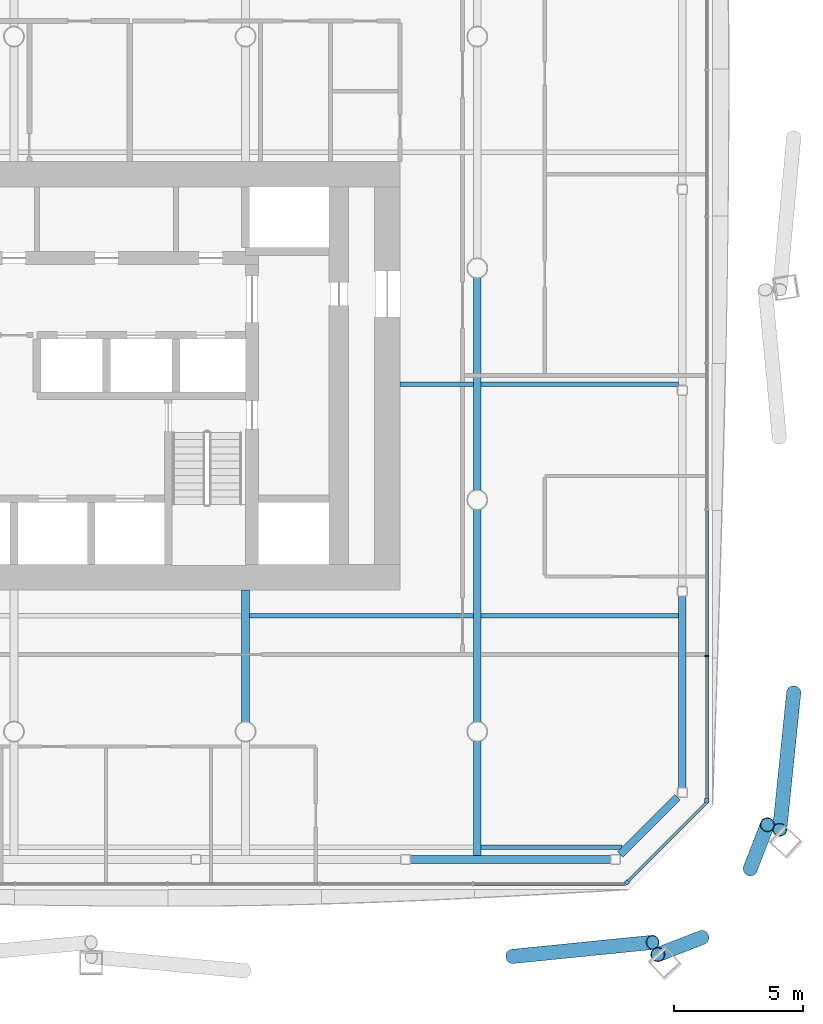
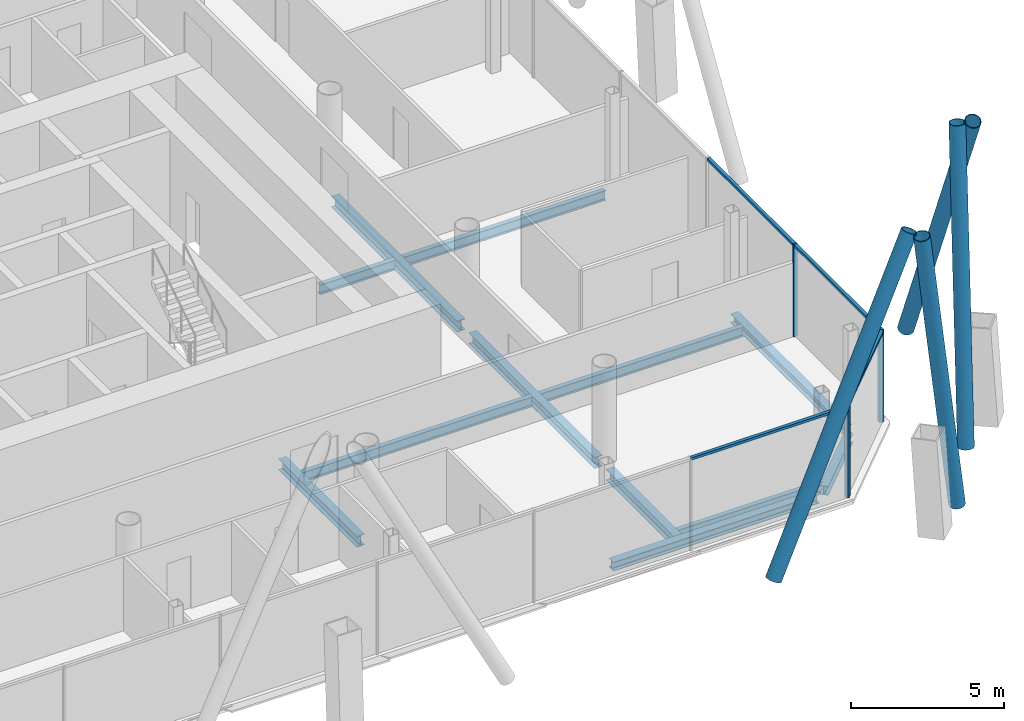
# One storey, part 7 of 22: 12 beams, 11 members, 3 elements without a shape of their own.
"""IFC4 building model written with IfcOpenShell, lengths in metres."""

import ifcopenshell
import ifcopenshell.guid

model = None  # the IFC model being written
_history = None  # IfcOwnerHistory: only IFC2X3 demands one
_inside = {}  # id of a spatial element -> (the spatial element, [elements in it])
_under = {}  # id of a project, library or spatial element -> (it, [spatial elements below it])
_declared = {}  # id of a project -> (the project, [libraries it declares])
_typed = {}  # id of a type object -> (the type object, [elements of that type])
_made_of = {}  # id of a material, layer set ... -> (it, [elements and type objects made of it])


def new_model(schema):
    """Start an empty IFC model of exactly this schema.

    Asked for "IFC4X3", IfcOpenShell would pick the latest addendum, in which some entities
    have other attributes; the version numbers below select the first issue.
    IFC2X3 requires an IfcOwnerHistory on every rooted entity: one is made here for all.
    """
    global model, _history
    if schema == "IFC4X3":
        model = ifcopenshell.file(schema_version=(4, 3, 0, 0))
    else:
        model = ifcopenshell.file(schema=schema)
    _inside.clear()
    _under.clear()
    _declared.clear()
    _typed.clear()
    _made_of.clear()
    _history = None
    if model.schema == "IFC2X3":
        org = make("IfcOrganization", Name="unknown")
        user = make(
            "IfcPersonAndOrganization",
            ThePerson=make("IfcPerson", FamilyName="unknown"),
            TheOrganization=org,
        )
        app = make(
            "IfcApplication",
            ApplicationDeveloper=org,
            Version="unknown",
            ApplicationFullName="unknown",
            ApplicationIdentifier="unknown",
        )
        _history = make(
            "IfcOwnerHistory",
            OwningUser=user,
            OwningApplication=app,
            ChangeAction="ADDED",
            CreationDate=0,
        )
    return model


def make(cls, **values):
    """One entity of the class cls with the attributes given. An attribute that is None is left unset."""
    return model.create_entity(
        cls, **{name: value for name, value in values.items() if value is not None}
    )


def rooted(cls, **values):
    """An entity with a GlobalId (a new one), such as an element, a storey or a relation."""
    return make(cls, GlobalId=ifcopenshell.guid.new(), OwnerHistory=_history, **values)


def si_unit(unit_type, name, prefix=None):
    """IfcSIUnit, for example si_unit("LENGTHUNIT", "METRE", prefix="MILLI")."""
    return make("IfcSIUnit", UnitType=unit_type, Prefix=prefix, Name=name)


def assignment(units):
    """IfcUnitAssignment: the units of a project."""
    return None if units is None else make("IfcUnitAssignment", Units=units)


def point(xyz):
    """IfcCartesianPoint."""
    return None if xyz is None else make("IfcCartesianPoint", Coordinates=xyz)


def direction(xyz):
    """IfcDirection."""
    return None if xyz is None else make("IfcDirection", DirectionRatios=xyz)


def frame(location, z_axis=None, x_axis=None):
    """IfcAxis2Placement3D, a coordinate frame: its origin and axes. An axis left out is left unset."""
    return make(
        "IfcAxis2Placement3D",
        Location=point(location),
        Axis=direction(z_axis),
        RefDirection=direction(x_axis),
    )


def frame_2d(location, x_axis=None):
    """IfcAxis2Placement2D, a coordinate frame in the plane: its origin and x axis."""
    return make(
        "IfcAxis2Placement2D", Location=point(location), RefDirection=direction(x_axis)
    )


def origin():
    """The frame at (0, 0, 0) with its axes left unset."""
    return frame((0.0, 0.0, 0.0))


def origin_2d():
    """The frame at (0, 0) in the plane with its x axis left unset."""
    return frame_2d((0.0, 0.0))


def place(relative_to, where):
    """IfcLocalPlacement: puts the frame where relative to a parent placement (None: the world)."""
    return make(
        "IfcLocalPlacement", PlacementRelTo=relative_to, RelativePlacement=where
    )


def context(
    kind, dimensions, precision=None, world=None, true_north=None, identifier=None
):
    """IfcGeometricRepresentationContext, for example the 3D "Model" context."""
    return make(
        "IfcGeometricRepresentationContext",
        ContextIdentifier=identifier,
        ContextType=kind,
        CoordinateSpaceDimension=dimensions,
        Precision=precision,
        WorldCoordinateSystem=world,
        TrueNorth=true_north,
    )


def subcontext(parent, identifier, kind, view, scale=None):
    """IfcGeometricRepresentationSubContext, for example "Body" below "Model"."""
    return make(
        "IfcGeometricRepresentationSubContext",
        ContextIdentifier=identifier,
        ContextType=kind,
        ParentContext=parent,
        TargetScale=scale,
        TargetView=view,
    )


def project(units=None, contexts=None):
    """IfcProject with its units and contexts."""
    return rooted(
        "IfcProject",
        Name="project",
        RepresentationContexts=contexts,
        UnitsInContext=assignment(units),
    )


def spatial(cls, under=None, at=None, **own):
    """A site, building, storey or space (cls), placed at a placement, below another one or the project."""
    s = rooted(cls, ObjectPlacement=at, **own)
    if under is not None:
        _under.setdefault(under.id(), (under, []))[1].append(s)
    return s


def profile(cls, at=None, kind="AREA", **sizes):
    """A parametric profile (cls). Its sizes go by their IFC names, for example OverallWidth=200.0."""
    return make(cls, ProfileType=kind, Position=at, **sizes)


def rectangle(**sizes):
    """IfcRectangleProfileDef."""
    return profile("IfcRectangleProfileDef", **sizes)


def hollow_circle(**sizes):
    """IfcCircleHollowProfileDef."""
    return profile("IfcCircleHollowProfileDef", **sizes)


def i_section(**sizes):
    """IfcIShapeProfileDef."""
    return profile("IfcIShapeProfileDef", **sizes)


def extrude(swept, where, along, depth):
    """IfcExtrudedAreaSolid: the profile swept, set in the frame where, extruded along a direction by depth."""
    return make(
        "IfcExtrudedAreaSolid",
        SweptArea=swept,
        Position=where,
        ExtrudedDirection=direction(along),
        Depth=depth,
    )


def shape(context_of_items, identifier, shape_type, items):
    """IfcShapeRepresentation: the items that make up one representation, for example the "Body"."""
    return make(
        "IfcShapeRepresentation",
        ContextOfItems=context_of_items,
        RepresentationIdentifier=identifier,
        RepresentationType=shape_type,
        Items=items,
    )


def material(Name=None, Category=None):
    """IfcMaterial."""
    return make("IfcMaterial", Name=Name, Category=Category)


def material_profile(
    of_material, cross_section, Name=None, Category=None, Priority=None
):
    """IfcMaterialProfile: a cross section and its material."""
    return make(
        "IfcMaterialProfile",
        Name=Name,
        Material=of_material,
        Profile=cross_section,
        Priority=Priority,
        Category=Category,
    )


def profile_set(profiles, Name=None, composite=None):
    """IfcMaterialProfileSet."""
    return make(
        "IfcMaterialProfileSet",
        Name=Name,
        MaterialProfiles=profiles,
        CompositeProfile=composite,
    )


def made_of(thing, what):
    """Note that an element or type object is made of a material, layer set ...; save() writes the relation."""
    if what is not None:
        _made_of.setdefault(what.id(), (what, []))[1].append(thing)
    return thing


def type_object(cls, material=None, **own):
    """A type object (cls), such as IfcWallType, which elements share."""
    return made_of(rooted(cls, **own), material)


def element(
    cls,
    number,
    at=None,
    inside=None,
    cuts=None,
    type_object=None,
    material=None,
    context=None,
    identifier="Body",
    shape_type=None,
    held_by="IfcProductDefinitionShape",
    body=None,
    shapes=None,
    **own,
):
    """One element of the class cls, such as IfcWall. Its Tag is "e" and its number.

    at: its placement. inside: the storey or other place that contains it. cuts: it is an
    opening in that element (IfcRelVoidsElement). A single representation is given by context,
    identifier, shape_type and body (its items); several are given by shapes. held_by: the class
    of the entity that holds the representations. save() writes the other relations.
    """
    e = rooted(cls, Tag="e%d" % number, ObjectPlacement=at, **own)
    if body is not None:
        shapes = [shape(context, identifier, shape_type, body)]
    if shapes is not None:
        e.Representation = make(held_by, Representations=shapes)
    if inside is not None:
        _inside.setdefault(inside.id(), (inside, []))[1].append(e)
    if cuts is not None:
        rooted(
            "IfcRelVoidsElement", RelatingBuildingElement=cuts, RelatedOpeningElement=e
        )
    if type_object is not None:
        _typed.setdefault(type_object.id(), (type_object, []))[1].append(e)
    return made_of(e, material)


def aggregate(whole, parts):
    """IfcRelAggregates: a whole, such as a stair, and the parts it consists of."""
    return rooted("IfcRelAggregates", RelatingObject=whole, RelatedObjects=parts)


def save(model, path):
    """Write the relations noted so far, then the file.

    IfcRelAggregates (storeys below a building ...), IfcRelContainedInSpatialStructure (elements
    in a storey), IfcRelDefinesByType, IfcRelAssociatesMaterial and IfcRelDeclares: one each for
    every whole, place, type object, material and project.
    """
    for whole, parts in _under.values():
        aggregate(whole, parts)
    for where, things in _inside.values():
        rooted(
            "IfcRelContainedInSpatialStructure",
            RelatedElements=things,
            RelatingStructure=where,
        )
    for kind, things in _typed.values():
        rooted("IfcRelDefinesByType", RelatedObjects=things, RelatingType=kind)
    for what, things in _made_of.values():
        rooted("IfcRelAssociatesMaterial", RelatedObjects=things, RelatingMaterial=what)
    for by, libraries in _declared.values():
        rooted("IfcRelDeclares", RelatingContext=by, RelatedDefinitions=libraries)
    model.write(path)


model = new_model("IFC4")

# Units and contexts
model_context = context("Model", 3, precision=1e-05, world=origin(), true_north=direction((0.0, 1.0)))
body_context = subcontext(model_context, "Body", "Model", "MODEL_VIEW")
ifc_project = project(units=[si_unit("LENGTHUNIT", "METRE"), si_unit("AREAUNIT", "SQUARE_METRE"), si_unit("VOLUMEUNIT", "CUBIC_METRE"), si_unit("PLANEANGLEUNIT", "RADIAN"), si_unit("MASSUNIT", "GRAM", prefix="KILO")], contexts=[model_context])

# Site, building, storey
site_placement = place(None, origin())
site = spatial("IfcSite", under=ifc_project, at=site_placement, CompositionType="ELEMENT")
building_placement = place(site_placement, origin())
building = spatial("IfcBuilding", under=site, at=building_placement, Name="Tskaro Facet Tower", CompositionType="ELEMENT")
storey_placement = place(building_placement, frame((0.0, 0.0, 97.199951171875)))
storey = spatial("IfcBuildingStorey", under=building, at=storey_placement, Name="L23", CompositionType="ELEMENT", Elevation=97.199951171875)

# Members
ifc_material_1 = material(Name="Steel S355J2H", Category="steel")
ifc_material_profile_1 = material_profile(ifc_material_1, hollow_circle(Radius=0.279541015625, WallThickness=0.02490234375, at=origin_2d()), Name="CHS 559x25")
ifc_profile_set_1 = profile_set([ifc_material_profile_1], Name="Steel S355J2H")
member_type_1 = type_object("IfcMemberType", Name="CHS 559x25 brace", PredefinedType="BRACE", material=ifc_profile_set_1)
member_1_placement = place(storey_placement, frame((19.361328125, -26.735595703125, 0.0), z_axis=(0.422100267707, 0.042421662683, 0.90555605378), x_axis=(-0.099997642059, 0.994987674086, 0.0)))
element("IfcMember", 1, at=member_1_placement, inside=storey, type_object=member_type_1, Name="CHS 559x25 XB02A/2", PredefinedType="BRACE", context=body_context, shape_type="SweptSolid", body=[
    extrude(hollow_circle(Radius=0.279541015625, WallThickness=0.02490234375, at=origin_2d()), origin(), (0.0, 0.0, 1.0), 12.920166015625),
])
for number, where, z_axis, x_axis, name in (
    (2, (28.606689453125, -23.328369140625, 0.0), (0.055948752719, 0.144468997442, 0.987926336245), (-0.932513175967, 0.361135953136, 0.0), "CHS 559x25 XB03A/2"),
    (3, (26.7236328125, -26.001953125, 0.0), (-0.144468997442, -0.055948752719, 0.987926336245), (0.361135953136, -0.932513175967, 0.0), "CHS 559x25 XB03B/2"),
):
    element("IfcMember", number, at=place(storey_placement, frame(where, z_axis=z_axis, x_axis=x_axis)), inside=storey, type_object=member_type_1, Name=name, PredefinedType="BRACE", context=body_context, shape_type="SweptSolid", body=[
        extrude(hollow_circle(Radius=0.279541015625, WallThickness=0.02490234375, at=origin_2d()), origin(), (0.0, 0.0, 1.0), 11.843017578125),
    ])
member_2_placement = place(storey_placement, frame((30.29443359375, -16.480712890625, 0.0), z_axis=(-0.042567326105, -0.414462347628, 0.909070396145), x_axis=(0.994767210337, -0.102167495995, 0.0)))
element("IfcMember", 4, at=member_2_placement, inside=storey, type_object=member_type_1, Name="CHS 559x25 XB04B/2", PredefinedType="BRACE", context=body_context, shape_type="SweptSolid", body=[
    extrude(hollow_circle(Radius=0.279541015625, WallThickness=0.02490234375, at=origin_2d()), origin(), (0.0, 0.0, 1.0), 12.8701171875),
])

# Curtain wall, member
ifc_material_2 = material(Name="Bronze anodised aluminium 6063-T6", Category="aluminium")
curtain_wall_type = type_object("IfcCurtainWallType", Name="Bronze office curtain wall (FW1)", PredefinedType="NOTDEFINED", material=ifc_material_2)
curtain_wall_1_placement = place(storey_placement, origin())
curtain_wall_1 = element("IfcCurtainWall", 5, at=curtain_wall_1_placement, inside=storey, type_object=curtain_wall_type, Name="FW1 south-east facet L23", PredefinedType="NOTDEFINED")
ifc_material_profile_2 = material_profile(ifc_material_2, rectangle(XDim=0.159912109375, YDim=0.159912109375, at=origin_2d()), Name="Corner post 160x160")
ifc_profile_set_2 = profile_set([ifc_material_profile_2], Name="Bronze anodised aluminium 6063-T6")
member_type_2 = type_object("IfcMemberType", Name="FW1 bronze corner post 160x160", PredefinedType="MULLION", material=ifc_profile_set_2)
member_3_placement = place(storey_placement, frame((23.8134765625, -23.8583984375, 0.0), z_axis=(0.0, 0.0, 1.0), x_axis=(0.707106781187, 0.707106781187, 0.0)))
member_3 = element("IfcMember", 6, at=member_3_placement, type_object=member_type_2, Name="FW1 south-east corner post", PredefinedType="MULLION", context=body_context, shape_type="SweptSolid", body=[
    extrude(rectangle(XDim=0.159912109375, YDim=0.159912109375, at=origin_2d()), origin(), (0.0, 0.0, 1.0), 3.699951171875),
])

# Curtain wall, members
curtain_wall_2_placement = place(storey_placement, origin())
curtain_wall_2 = element("IfcCurtainWall", 7, at=curtain_wall_2_placement, inside=storey, type_object=curtain_wall_type, Name="FW1 east facet L23", PredefinedType="NOTDEFINED")
member_4_placement = place(storey_placement, frame((26.9150390625, -20.677001953125, 0.0), z_axis=(0.0, 0.0, 1.0), x_axis=(0.0, 1.0, 0.0)))
member_4 = element("IfcMember", 8, at=member_4_placement, type_object=member_type_2, Name="FW1 east corner post", PredefinedType="MULLION", context=body_context, shape_type="SweptSolid", body=[
    extrude(rectangle(XDim=0.159912109375, YDim=0.159912109375, at=origin_2d()), origin(), (0.0, 0.0, 1.0), 3.699951171875),
])
ifc_material_profile_3 = material_profile(ifc_material_2, rectangle(XDim=0.06005859375, YDim=0.159912109375, at=origin_2d()), Name="Mullion 60x160")
ifc_profile_set_3 = profile_set([ifc_material_profile_3], Name="Bronze anodised aluminium 6063-T6")
member_type_3 = type_object("IfcMemberType", Name="FW1 bronze mullion 60x160", PredefinedType="MULLION", material=ifc_profile_set_3)
member_5_placement = place(storey_placement, frame((26.9150390625, -15.065673828125, 0.0), z_axis=(0.0, 0.0, 1.0), x_axis=(0.0, 1.0, 0.0)))
member_5 = element("IfcMember", 9, at=member_5_placement, type_object=member_type_3, Name="FW1 east mullion 1", PredefinedType="MULLION", context=body_context, shape_type="SweptSolid", body=[
    extrude(rectangle(XDim=0.06005859375, YDim=0.159912109375, at=origin_2d()), origin(), (0.0, 0.0, 1.0), 3.699951171875),
])

# Curtain wall, member
curtain_wall_3_placement = place(storey_placement, origin())
curtain_wall_3 = element("IfcCurtainWall", 10, at=curtain_wall_3_placement, inside=storey, type_object=curtain_wall_type, Name="FW1 south facet L23", PredefinedType="NOTDEFINED")
ifc_material_profile_4 = material_profile(ifc_material_2, rectangle(XDim=0.1201171875, YDim=0.10009765625, at=origin_2d()), Name="Transom 120x100")
ifc_profile_set_4 = profile_set([ifc_material_profile_4], Name="Bronze anodised aluminium 6063-T6")
member_type_4 = type_object("IfcMemberType", Name="FW1 bronze transom 120x100", PredefinedType="USERDEFINED", material=ifc_profile_set_4)
member_6_placement = place(storey_placement, frame((17.8564453125, -23.9150390625, 3.650146484375), z_axis=(1.0, 0.0, 0.0), x_axis=(0.0, 1.0, 0.0)))
member_6 = element("IfcMember", 11, at=member_6_placement, type_object=member_type_4, Name="FW1 south transom 7.1", ObjectType="TRANSOM", PredefinedType="USERDEFINED", context=body_context, shape_type="SweptSolid", body=[
    extrude(rectangle(XDim=0.1201171875, YDim=0.10009765625, at=origin_2d()), origin(), (0.0, 0.0, 1.0), 5.900634765625),
])
aggregate(curtain_wall_3, [member_6])

# Member
member_7_placement = place(storey_placement, frame((23.8701171875, -23.8017578125, 3.650146484375), z_axis=(0.707135129525, 0.707078431712, 0.0), x_axis=(-0.707078431712, 0.707135129525, 0.0)))
member_7 = element("IfcMember", 12, at=member_7_placement, type_object=member_type_4, Name="FW1 south-east transom 1.1", ObjectType="TRANSOM", PredefinedType="USERDEFINED", context=body_context, shape_type="SweptSolid", body=[
    extrude(rectangle(XDim=0.1201171875, YDim=0.10009765625, at=origin_2d()), origin(), (0.0, 0.0, 1.0), 4.305908203125),
])

aggregate(curtain_wall_1, [member_3, member_7])

member_8_placement = place(storey_placement, frame((26.9150390625, -20.596923828125, 3.650146484375), z_axis=(0.0, 1.0, 0.0), x_axis=(-1.0, 0.0, 0.0)))
member_8 = element("IfcMember", 13, at=member_8_placement, type_object=member_type_4, Name="FW1 east transom 1.1", ObjectType="TRANSOM", PredefinedType="USERDEFINED", context=body_context, shape_type="SweptSolid", body=[
    extrude(rectangle(XDim=0.1201171875, YDim=0.10009765625, at=origin_2d()), origin(), (0.0, 0.0, 1.0), 5.50146484375),
])

member_9_placement = place(storey_placement, frame((26.9150390625, -15.03564453125, 3.650146484375), z_axis=(0.0, 1.0, 0.0), x_axis=(-1.0, 0.0, 0.0)))
member_9 = element("IfcMember", 14, at=member_9_placement, type_object=member_type_4, Name="FW1 east transom 2.1", ObjectType="TRANSOM", PredefinedType="USERDEFINED", context=body_context, shape_type="SweptSolid", body=[
    extrude(rectangle(XDim=0.1201171875, YDim=0.10009765625, at=origin_2d()), origin(), (0.0, 0.0, 1.0), 5.631591796875),
])

aggregate(curtain_wall_2, [member_4, member_5, member_8, member_9])

# Beams
ifc_material_3 = material(Name="Steel S355J2", Category="steel")
ifc_material_profile_5 = material_profile(ifc_material_3, i_section(OverallWidth=0.300048828125, OverallDepth=0.360107421875, WebThickness=0.012451171875, FlangeThickness=0.0224609375, FilletRadius=0.027099609375, at=origin_2d()), Name="HE 360 B")
ifc_profile_set_5 = profile_set([ifc_material_profile_5], Name="Steel S355J2")
beam_type_1 = type_object("IfcBeamType", Name="HE 360 B ring beam", PredefinedType="BEAM", material=ifc_profile_set_5)
beam_1_placement = place(storey_placement, frame((15.39794921875, -22.965087890625, -0.320068359375), z_axis=(1.0, 0.0, 0.0), x_axis=(0.0, 1.0, 0.0)))
element("IfcBeam", 15, at=beam_1_placement, inside=storey, type_object=beam_type_1, Name="HE 360 B EB5-2", PredefinedType="BEAM", context=body_context, shape_type="SweptSolid", body=[
    extrude(i_section(OverallWidth=0.300048828125, OverallDepth=0.360107421875, WebThickness=0.012451171875, FlangeThickness=0.0224609375, FilletRadius=0.027099609375, at=origin_2d()), origin(), (0.0, 0.0, 1.0), 7.7861328125),
])
beam_2_placement = place(storey_placement, frame((23.5498046875, -22.779052734375, -0.320068359375), z_axis=(0.707106781187, 0.707106781187, 0.0), x_axis=(-0.707106781187, 0.707106781187, 0.0)))
element("IfcBeam", 16, at=beam_2_placement, inside=storey, type_object=beam_type_1, Name="HE 360 B EB6-2", PredefinedType="BEAM", context=body_context, shape_type="SweptSolid", body=[
    extrude(i_section(OverallWidth=0.300048828125, OverallDepth=0.360107421875, WebThickness=0.012451171875, FlangeThickness=0.0224609375, FilletRadius=0.027099609375, at=origin_2d()), origin(), (0.0, 0.0, 1.0), 3.152587890625),
])
beam_3_placement = place(storey_placement, frame((25.965087890625, -20.18408203125, -0.320068359375), z_axis=(0.0, 1.0, 0.0), x_axis=(-1.0, 0.0, 0.0)))
element("IfcBeam", 17, at=beam_3_placement, inside=storey, type_object=beam_type_1, Name="HE 360 B EB7-2", PredefinedType="BEAM", context=body_context, shape_type="SweptSolid", body=[
    extrude(i_section(OverallWidth=0.300048828125, OverallDepth=0.360107421875, WebThickness=0.012451171875, FlangeThickness=0.0224609375, FilletRadius=0.027099609375, at=origin_2d()), origin(), (0.0, 0.0, 1.0), 7.451171875),
])
ifc_material_profile_6 = material_profile(ifc_material_3, i_section(OverallWidth=0.300048828125, OverallDepth=0.43994140625, WebThickness=0.011474609375, FlangeThickness=0.02099609375, FilletRadius=0.027099609375, at=origin_2d()), Name="HE 450 A")
ifc_profile_set_6 = profile_set([ifc_material_profile_6], Name="Steel S355J2")
beam_type_2 = type_object("IfcBeamType", Name="HE 450 A girder", PredefinedType="BEAM", material=ifc_profile_set_6)
beam_4_placement = place(storey_placement, frame((9.0, -17.62353515625, -0.35986328125), z_axis=(0.0, 1.0, 0.0), x_axis=(-1.0, 0.0, 0.0)))
element("IfcBeam", 18, at=beam_4_placement, inside=storey, type_object=beam_type_2, Name="HE 450 A GB5-2-2", PredefinedType="BEAM", context=body_context, shape_type="SweptSolid", body=[
    extrude(i_section(OverallWidth=0.300048828125, OverallDepth=0.43994140625, WebThickness=0.011474609375, FlangeThickness=0.02099609375, FilletRadius=0.027099609375, at=origin_2d()), origin(), (0.0, 0.0, 1.0), 5.12353515625),
])
beam_5_placement = place(storey_placement, frame((18.0, -22.81494140625, -0.35986328125), z_axis=(0.0, 1.0, 0.0), x_axis=(-1.0, 0.0, 0.0)))
element("IfcBeam", 19, at=beam_5_placement, inside=storey, type_object=beam_type_2, Name="HE 450 A GB6-1-2", PredefinedType="BEAM", context=body_context, shape_type="SweptSolid", body=[
    extrude(i_section(OverallWidth=0.300048828125, OverallDepth=0.43994140625, WebThickness=0.011474609375, FlangeThickness=0.02099609375, FilletRadius=0.027099609375, at=origin_2d()), origin(), (0.0, 0.0, 1.0), 4.4384765625),
])
for number, where, z_axis, x_axis, name in (
    (20, (18.0, -17.62353515625, -0.35986328125), (0.0, 1.0, 0.0), (-1.0, 0.0, 0.0), "HE 450 A GB6-2-2"),
    (21, (18.0, -8.62353515625, -0.35986328125), (0.0, 1.0, 0.0), (-1.0, 0.0, 0.0), "HE 450 A GB6-3-2"),
):
    element("IfcBeam", number, at=place(storey_placement, frame(where, z_axis=z_axis, x_axis=x_axis)), inside=storey, type_object=beam_type_2, Name=name, PredefinedType="BEAM", context=body_context, shape_type="SweptSolid", body=[
        extrude(i_section(OverallWidth=0.300048828125, OverallDepth=0.43994140625, WebThickness=0.011474609375, FlangeThickness=0.02099609375, FilletRadius=0.027099609375, at=origin_2d()), origin(), (0.0, 0.0, 1.0), 8.2470703125),
    ])
ifc_material_profile_7 = material_profile(ifc_material_3, i_section(OverallWidth=0.179931640625, OverallDepth=0.39990234375, WebThickness=0.008544921875, FlangeThickness=0.013427734375, FilletRadius=0.02099609375, at=origin_2d()), Name="IPE 400")
ifc_profile_set_7 = profile_set([ifc_material_profile_7], Name="Steel S355J2")
beam_type_3 = type_object("IfcBeamType", Name="IPE 400 secondary beam", PredefinedType="BEAM", material=ifc_profile_set_7)
beam_6_placement = place(storey_placement, frame((18.14990234375, -22.5, -0.33984375), z_axis=(1.0, 0.0, 0.0), x_axis=(0.0, 1.0, 0.0)))
element("IfcBeam", 22, at=beam_6_placement, inside=storey, type_object=beam_type_3, Name="IPE 400 SB1a-5-2", PredefinedType="BEAM", context=body_context, shape_type="SweptSolid", body=[
    extrude(i_section(OverallWidth=0.179931640625, OverallDepth=0.39990234375, WebThickness=0.008544921875, FlangeThickness=0.013427734375, FilletRadius=0.02099609375, at=origin_2d()), origin(), (0.0, 0.0, 1.0), 5.467041015625),
])
beam_7_placement = place(storey_placement, frame((9.14990234375, -13.5, -0.33984375), z_axis=(1.0, 0.0, 0.0), x_axis=(0.0, 1.0, 0.0)))
element("IfcBeam", 23, at=beam_7_placement, inside=storey, type_object=beam_type_3, Name="IPE 400 SB2a-4-2", PredefinedType="BEAM", context=body_context, shape_type="SweptSolid", body=[
    extrude(i_section(OverallWidth=0.179931640625, OverallDepth=0.39990234375, WebThickness=0.008544921875, FlangeThickness=0.013427734375, FilletRadius=0.02099609375, at=origin_2d()), origin(), (0.0, 0.0, 1.0), 8.7001953125),
])
beam_8_placement = place(storey_placement, frame((18.14990234375, -13.5, -0.33984375), z_axis=(1.0, 0.0, 0.0), x_axis=(0.0, 1.0, 0.0)))
element("IfcBeam", 24, at=beam_8_placement, inside=storey, type_object=beam_type_3, Name="IPE 400 SB2a-5-2", PredefinedType="BEAM", context=body_context, shape_type="SweptSolid", body=[
    extrude(i_section(OverallWidth=0.179931640625, OverallDepth=0.39990234375, WebThickness=0.008544921875, FlangeThickness=0.013427734375, FilletRadius=0.02099609375, at=origin_2d()), origin(), (0.0, 0.0, 1.0), 7.6650390625),
])
beam_9_placement = place(storey_placement, frame((15.0, -4.5, -0.33984375), z_axis=(1.0, 0.0, 0.0), x_axis=(0.0, 1.0, 0.0)))
element("IfcBeam", 25, at=beam_9_placement, inside=storey, type_object=beam_type_3, Name="IPE 400 SB3a-2-2", PredefinedType="BEAM", context=body_context, shape_type="SweptSolid", body=[
    extrude(i_section(OverallWidth=0.179931640625, OverallDepth=0.39990234375, WebThickness=0.008544921875, FlangeThickness=0.013427734375, FilletRadius=0.02099609375, at=origin_2d()), origin(), (0.0, 0.0, 1.0), 2.85009765625),
])
beam_10_placement = place(storey_placement, frame((18.14990234375, -4.5, -0.33984375), z_axis=(1.0, 0.0, 0.0), x_axis=(0.0, 1.0, 0.0)))
element("IfcBeam", 26, at=beam_10_placement, inside=storey, type_object=beam_type_3, Name="IPE 400 SB3a-3-2", PredefinedType="BEAM", context=body_context, shape_type="SweptSolid", body=[
    extrude(i_section(OverallWidth=0.179931640625, OverallDepth=0.39990234375, WebThickness=0.008544921875, FlangeThickness=0.013427734375, FilletRadius=0.02099609375, at=origin_2d()), origin(), (0.0, 0.0, 1.0), 7.6650390625),
])

save(model, "model.ifc")
